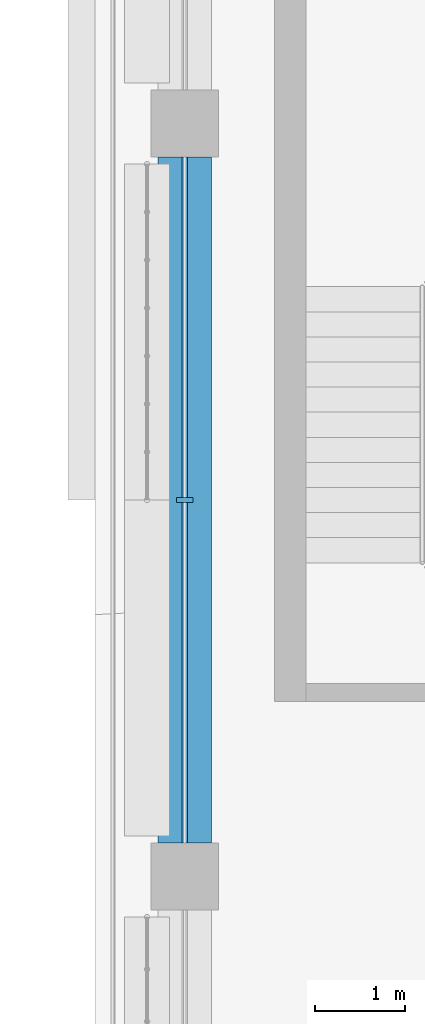
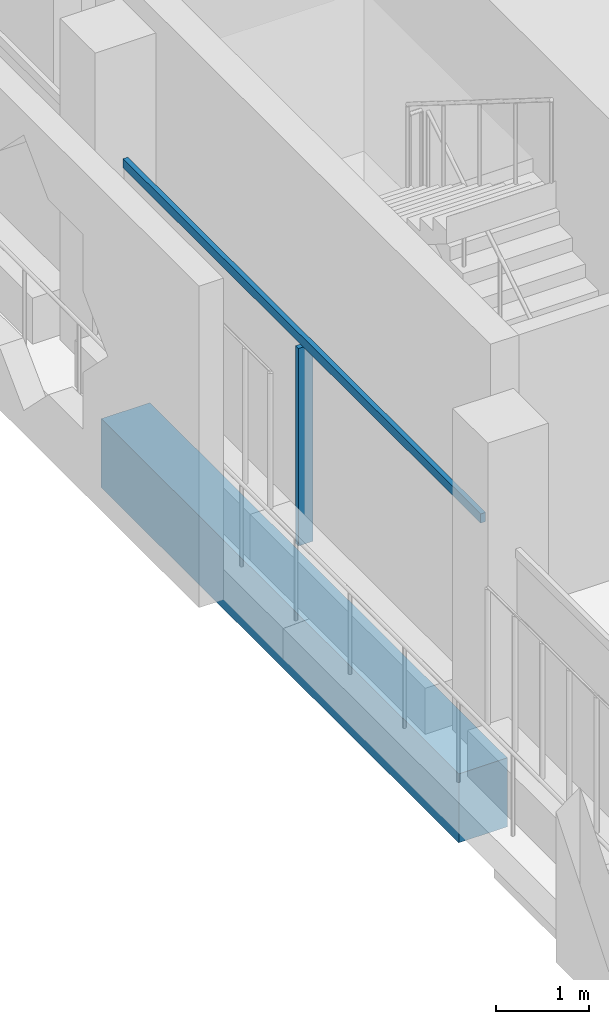
# One storey, part 4 of 22: 2 members, 1 beam, 1 element without a shape of its own.
"""IFC4 building model written with IfcOpenShell, lengths in metres."""

from ifc_helpers import new_model, si_unit, direction, frame, origin, origin_2d, place, context, subcontext, project, spatial, rectangle, extrude, material, layer, layer_set, material_profile, profile_set, type_object, element, aggregate, save


model = new_model("IFC4")

# Units and contexts
model_context = context("Model", 3, precision=1e-05, world=origin(), true_north=direction((0.0, 1.0)))
body_context = subcontext(model_context, "Body", "Model", "MODEL_VIEW")
ifc_project = project(units=[si_unit("LENGTHUNIT", "METRE"), si_unit("AREAUNIT", "SQUARE_METRE"), si_unit("VOLUMEUNIT", "CUBIC_METRE"), si_unit("PLANEANGLEUNIT", "RADIAN"), si_unit("MASSUNIT", "GRAM", prefix="KILO")], contexts=[model_context])

# Site, building, storey
site_placement = place(None, origin())
site = spatial("IfcSite", under=ifc_project, at=site_placement, CompositionType="ELEMENT")
building_placement = place(site_placement, origin())
building = spatial("IfcBuilding", under=site, at=building_placement, Name="Kawkab Arch Medical Tower", CompositionType="ELEMENT")
storey_placement = place(building_placement, frame((0.0, 0.0, 298.60009765625)))
storey = spatial("IfcBuildingStorey", under=building, at=storey_placement, Name="L69", CompositionType="ELEMENT", Elevation=298.60009765625)

# Curtain wall, members
ifc_material_1 = material(Name="Bronze anodised aluminium curtain wall frame", Category="aluminium")
ifc_layer = layer(ifc_material_1, 0.159912109375)
ifc_layer_set = layer_set([ifc_layer], Name="Bronze anodised aluminium curtain wall frame")
curtain_wall_type = type_object("IfcCurtainWallType", Name="CW1 ward curtain wall", PredefinedType="NOTDEFINED", material=ifc_layer_set)
curtain_wall_placement = place(storey_placement, origin())
curtain_wall = element("IfcCurtainWall", 1, at=curtain_wall_placement, inside=storey, type_object=curtain_wall_type, Name="CW1 Ward curtain wall R02", PredefinedType="NOTDEFINED")
ifc_material_2 = material(Name="Bronze anodised aluminium curtain wall frame", Category="aluminium")
ifc_material_profile_1 = material_profile(ifc_material_2, rectangle(XDim=0.179931640625, YDim=0.06005859375, at=origin_2d()), Name="AL 60x180")
ifc_profile_set_1 = profile_set([ifc_material_profile_1], Name="Bronze anodised aluminium curtain wall frame")
member_type_1 = type_object("IfcMemberType", Name="CW1 mullion 60 x 180", PredefinedType="MULLION", material=ifc_profile_set_1)
member_1_placement = place(storey_placement, frame((0.0, -21.0, 0.0), z_axis=(0.0, 0.0, 1.0), x_axis=(1.0, 0.0, 0.0)))
member_1 = element("IfcMember", 2, at=member_1_placement, type_object=member_type_1, Name="CW1 mullion 2.1", PredefinedType="MULLION", context=body_context, shape_type="SweptSolid", body=[
    extrude(rectangle(XDim=0.179931640625, YDim=0.06005859375, at=origin_2d()), origin(), (0.0, 0.0, 1.0), 2.579833984375),
])
ifc_material_3 = material(Name="Bronze anodised aluminium curtain wall frame", Category="aluminium")
ifc_material_profile_2 = material_profile(ifc_material_3, rectangle(XDim=0.06005859375, YDim=0.1201171875, at=origin_2d()), Name="AL 60x120")
ifc_profile_set_2 = profile_set([ifc_material_profile_2], Name="Bronze anodised aluminium curtain wall frame")
member_type_2 = type_object("IfcMemberType", Name="CW1 transom 120 x 60", PredefinedType="USERDEFINED", material=ifc_profile_set_2)
member_2_placement = place(storey_placement, frame((0.0, -17.175048828125, 2.639892578125), z_axis=(0.0, -1.0, 0.0), x_axis=(1.0, 0.0, 0.0)))
member_2 = element("IfcMember", 3, at=member_2_placement, type_object=member_type_2, Name="CW1 transom 2", ObjectType="TRANSOM", PredefinedType="USERDEFINED", context=body_context, shape_type="SweptSolid", body=[
    extrude(rectangle(XDim=0.06005859375, YDim=0.1201171875, at=origin_2d()), origin(), (0.0, 0.0, 1.0), 7.64990234375),
])
aggregate(curtain_wall, [member_2, member_1])

# Beam
ifc_material_4 = material(Name="Concrete C40/50", Category="concrete")
ifc_material_profile_3 = material_profile(ifc_material_4, rectangle(XDim=0.60009765625, YDim=0.89990234375, at=origin_2d()), Name="RC 600x900")
ifc_profile_set_3 = profile_set([ifc_material_profile_3], Name="Concrete C40/50")
beam_type = type_object("IfcBeamType", Name="RC 600x900 beam C40/50", PredefinedType="BEAM", material=ifc_profile_set_3)
beam_placement = place(storey_placement, frame((0.0, -24.824951171875, -1.050048828125), z_axis=(0.0, 1.0, 0.0), x_axis=(-1.0, 0.0, 0.0)))
element("IfcBeam", 4, at=beam_placement, inside=storey, type_object=beam_type, Name="Overhang edge beam L69-04", PredefinedType="BEAM", context=body_context, shape_type="SweptSolid", body=[
    extrude(rectangle(XDim=0.60009765625, YDim=0.89990234375, at=origin_2d()), origin(), (0.0, 0.0, 1.0), 7.64990234375),
])

save(model, "model.ifc")
